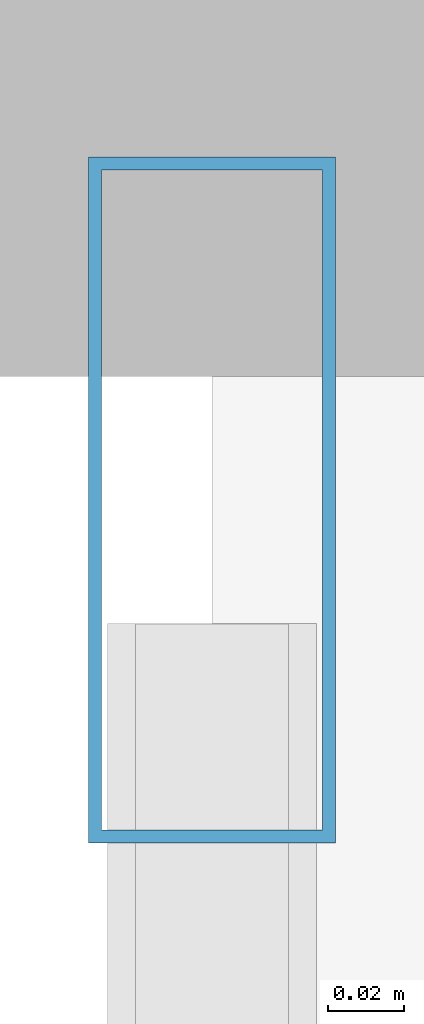
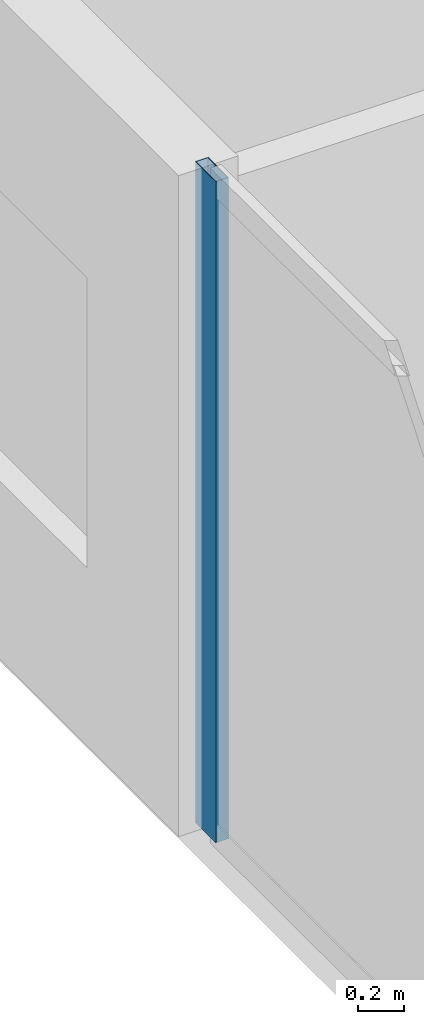
# One storey, part 16 of 32: 1 member, 1 element without a shape of its own.
"""IFC4 building model written with IfcOpenShell, lengths in metres."""

from ifc_helpers import new_model, si_unit, direction, frame, origin, origin_2d, place, context, subcontext, project, spatial, hollow_rectangle, extrude, material, layer, layer_set, material_profile, profile_set, type_object, element, aggregate, save


model = new_model("IFC4")

# Units and contexts
model_context = context("Model", 3, precision=1e-05, world=origin(), true_north=direction((0.0, 1.0)))
body_context = subcontext(model_context, "Body", "Model", "MODEL_VIEW")
ifc_project = project(units=[si_unit("LENGTHUNIT", "METRE"), si_unit("AREAUNIT", "SQUARE_METRE"), si_unit("VOLUMEUNIT", "CUBIC_METRE"), si_unit("PLANEANGLEUNIT", "RADIAN"), si_unit("MASSUNIT", "GRAM", prefix="KILO")], contexts=[model_context])

# Site, building, storey
site_placement = place(None, origin())
site = spatial("IfcSite", under=ifc_project, at=site_placement, CompositionType="ELEMENT")
building_placement = place(site_placement, origin())
building = spatial("IfcBuilding", under=site, at=building_placement, Name="Zuhayl Quay Hotel", CompositionType="ELEMENT")
storey_placement = place(building_placement, frame((0.0, 0.0, 218.64990234375)))
storey = spatial("IfcBuildingStorey", under=building, at=storey_placement, Name="L55", CompositionType="ELEMENT", Elevation=218.64990234375)

# Curtain wall, member
ifc_material_1 = material(Name="Anodised Aluminium 6063-T6", Category="aluminium")
ifc_layer = layer(ifc_material_1, 0.175048828125, Name="Anodised Aluminium 6063-T6", Category="aluminium")
ifc_layer_set = layer_set([ifc_layer], Name="Anodised Aluminium 6063-T6")
curtain_wall_type = type_object("IfcCurtainWallType", Name="CW_SYS_Z3", PredefinedType="USERDEFINED", material=ifc_layer_set)
curtain_wall_placement = place(storey_placement, origin())
curtain_wall = element("IfcCurtainWall", 1, at=curtain_wall_placement, inside=storey, type_object=curtain_wall_type, Name="L55 Curtain Wall ENV_L55_E05_CW1", ObjectType="UNITISED CURTAIN WALL", PredefinedType="USERDEFINED")
ifc_material_2 = material(Name="Black-anodised aluminium 6063-T6", Category="aluminium")
ifc_material_profile = material_profile(ifc_material_2, hollow_rectangle(XDim=0.06494140625, YDim=0.179931640625, WallThickness=0.00341796875, at=origin_2d()), Name="ALU180X65")
ifc_profile_set = profile_set([ifc_material_profile], Name="Black-anodised aluminium 6063-T6")
member_type = type_object("IfcMemberType", Name="MB_CW_MUL_180", PredefinedType="MULLION", material=ifc_profile_set)
member_placement = place(storey_placement, frame((-22.10009765625, 24.517578125, 0.0), z_axis=(0.0, 0.0, 1.0), x_axis=(-1.0, 0.0, 0.0)))
member = element("IfcMember", 2, at=member_placement, type_object=member_type, Name="CW-Z3 mullion 2", PredefinedType="MULLION", context=body_context, shape_type="SweptSolid", body=[
    extrude(hollow_rectangle(XDim=0.06494140625, YDim=0.179931640625, WallThickness=0.00341796875, at=origin_2d()), origin(), (0.0, 0.0, 1.0), 3.530029296875),
])
aggregate(curtain_wall, [member])

save(model, "model.ifc")
